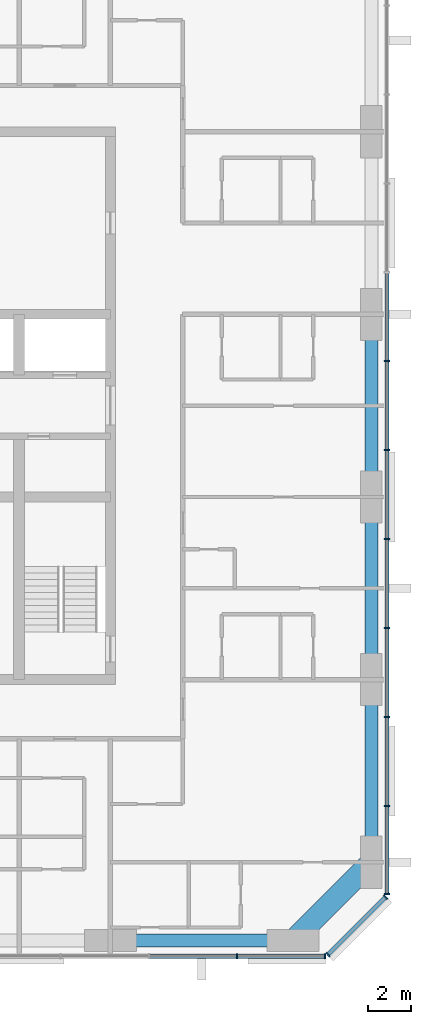
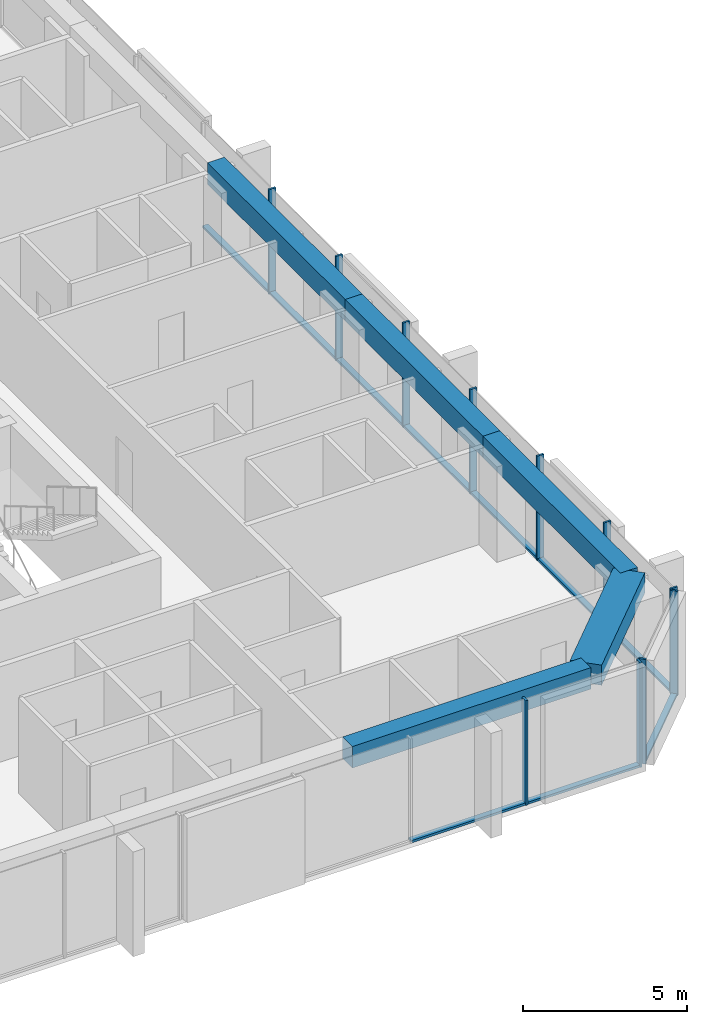
# One storey, part 3 of 12: 21 members, 5 beams, 3 elements without a shape of their own.
"""IFC4 building model written with IfcOpenShell, lengths in metres."""

from ifc_helpers import new_model, si_unit, direction, frame, origin, origin_2d, place, context, subcontext, project, spatial, rectangle, extrude, material, material_profile, profile_set, type_object, element, aggregate, save


model = new_model("IFC4")

# Units and contexts
model_context = context("Model", 3, precision=1e-05, world=origin(), true_north=direction((0.0, 1.0)))
body_context = subcontext(model_context, "Body", "Model", "MODEL_VIEW")
ifc_project = project(units=[si_unit("LENGTHUNIT", "METRE"), si_unit("AREAUNIT", "SQUARE_METRE"), si_unit("VOLUMEUNIT", "CUBIC_METRE"), si_unit("PLANEANGLEUNIT", "RADIAN"), si_unit("MASSUNIT", "GRAM", prefix="KILO")], contexts=[model_context])

# Site, building, storey
site_placement = place(None, origin())
site = spatial("IfcSite", under=ifc_project, at=site_placement, CompositionType="ELEMENT")
building_placement = place(site_placement, origin())
building = spatial("IfcBuilding", under=site, at=building_placement, Name="Dunama Terrace Hotel", CompositionType="ELEMENT")
storey_placement = place(building_placement, frame((0.0, 0.0, 264.60009765625)))
storey = spatial("IfcBuildingStorey", under=building, at=storey_placement, Name="L68", CompositionType="ELEMENT", Elevation=264.60009765625)

# Curtain wall, members
ifc_material_1 = material(Name="Aluminium curtain wall system", Category="aluminium")
curtain_wall_type = type_object("IfcCurtainWallType", Name="Unitised fritted glass wall CW-D", PredefinedType="NOTDEFINED", material=ifc_material_1)
curtain_wall_1_placement = place(storey_placement, origin())
curtain_wall_1 = element("IfcCurtainWall", 1, at=curtain_wall_1_placement, inside=storey, type_object=curtain_wall_type, Name="Unitised fritted glass wall CW-D L68", PredefinedType="NOTDEFINED")
ifc_material_2 = material(Name="Aluminium mullion", Category="aluminium")
ifc_material_profile_1 = material_profile(ifc_material_2, rectangle(XDim=0.070068359375, YDim=0.239990234375, at=origin_2d()), Name="CWD MULLION 70X240")
ifc_profile_set_1 = profile_set([ifc_material_profile_1], Name="Aluminium mullion")
member_type_1 = type_object("IfcMemberType", Name="CWD mullion 70x240", PredefinedType="MULLION", material=ifc_profile_set_1)
member_1_placement = place(storey_placement, frame((47.8330078125, 4.080078125, 0.0), z_axis=(0.0, 0.0, 1.0), x_axis=(1.0, 0.0, 0.0)))
member_1 = element("IfcMember", 2, at=member_1_placement, type_object=member_type_1, Name="CWD mullion", PredefinedType="MULLION", context=body_context, shape_type="SweptSolid", body=[
    extrude(rectangle(XDim=0.070068359375, YDim=0.239990234375, at=origin_2d()), origin(), (0.0, 0.0, 1.0), 3.89990234375),
])
member_2_placement = place(storey_placement, frame((51.864990234375, 4.080078125, 0.0), z_axis=(0.0, 0.0, 1.0), x_axis=(1.0, 0.0, 0.0)))
member_2 = element("IfcMember", 3, at=member_2_placement, type_object=member_type_1, Name="CWD mullion", PredefinedType="MULLION", context=body_context, shape_type="SweptSolid", body=[
    extrude(rectangle(XDim=0.070068359375, YDim=0.239990234375, at=origin_2d()), origin(), (0.0, 0.0, 1.0), 3.89990234375),
])

curtain_wall_2_placement = place(storey_placement, origin())
curtain_wall_2 = element("IfcCurtainWall", 4, at=curtain_wall_2_placement, inside=storey, type_object=curtain_wall_type, Name="Unitised fritted glass wall CW-D L68", PredefinedType="NOTDEFINED")
member_3_placement = place(storey_placement, frame((52.010009765625, 4.139892578125, 0.0), z_axis=(0.0, 0.0, 1.0), x_axis=(0.707106781187, 0.707106781187, 0.0)))
member_3 = element("IfcMember", 5, at=member_3_placement, type_object=member_type_1, Name="CWD mullion", PredefinedType="MULLION", context=body_context, shape_type="SweptSolid", body=[
    extrude(rectangle(XDim=0.070068359375, YDim=0.239990234375, at=origin_2d()), origin(), (0.0, 0.0, 1.0), 3.89990234375),
])
member_4_placement = place(storey_placement, frame((54.659912109375, 6.7900390625, 0.0), z_axis=(0.0, 0.0, 1.0), x_axis=(0.707106781187, 0.707106781187, 0.0)))
member_4 = element("IfcMember", 6, at=member_4_placement, type_object=member_type_1, Name="CWD mullion", PredefinedType="MULLION", context=body_context, shape_type="SweptSolid", body=[
    extrude(rectangle(XDim=0.070068359375, YDim=0.239990234375, at=origin_2d()), origin(), (0.0, 0.0, 1.0), 3.89990234375),
])

curtain_wall_3_placement = place(storey_placement, origin())
curtain_wall_3 = element("IfcCurtainWall", 7, at=curtain_wall_3_placement, inside=storey, type_object=curtain_wall_type, Name="Unitised fritted glass wall CW-D L68", PredefinedType="NOTDEFINED")
member_5_placement = place(storey_placement, frame((54.719970703125, 6.93505859375, 0.0), z_axis=(0.0, 0.0, 1.0), x_axis=(0.0, 1.0, 0.0)))
member_5 = element("IfcMember", 8, at=member_5_placement, type_object=member_type_1, Name="CWD mullion", PredefinedType="MULLION", context=body_context, shape_type="SweptSolid", body=[
    extrude(rectangle(XDim=0.070068359375, YDim=0.239990234375, at=origin_2d()), origin(), (0.0, 0.0, 1.0), 3.89990234375),
])
member_6_placement = place(storey_placement, frame((54.719970703125, 10.990966796875, 0.0), z_axis=(0.0, 0.0, 1.0), x_axis=(0.0, 1.0, 0.0)))
member_6 = element("IfcMember", 9, at=member_6_placement, type_object=member_type_1, Name="CWD mullion", PredefinedType="MULLION", context=body_context, shape_type="SweptSolid", body=[
    extrude(rectangle(XDim=0.070068359375, YDim=0.239990234375, at=origin_2d()), origin(), (0.0, 0.0, 1.0), 3.89990234375),
])
member_7_placement = place(storey_placement, frame((54.719970703125, 15.08203125, 0.0), z_axis=(0.0, 0.0, 1.0), x_axis=(0.0, 1.0, 0.0)))
member_7 = element("IfcMember", 10, at=member_7_placement, type_object=member_type_1, Name="CWD mullion", PredefinedType="MULLION", context=body_context, shape_type="SweptSolid", body=[
    extrude(rectangle(XDim=0.070068359375, YDim=0.239990234375, at=origin_2d()), origin(), (0.0, 0.0, 1.0), 3.89990234375),
])
member_8_placement = place(storey_placement, frame((54.719970703125, 19.173095703125, 0.0), z_axis=(0.0, 0.0, 1.0), x_axis=(0.0, 1.0, 0.0)))
member_8 = element("IfcMember", 11, at=member_8_placement, type_object=member_type_1, Name="CWD mullion", PredefinedType="MULLION", context=body_context, shape_type="SweptSolid", body=[
    extrude(rectangle(XDim=0.070068359375, YDim=0.239990234375, at=origin_2d()), origin(), (0.0, 0.0, 1.0), 3.89990234375),
])
member_9_placement = place(storey_placement, frame((54.719970703125, 23.263916015625, 0.0), z_axis=(0.0, 0.0, 1.0), x_axis=(0.0, 1.0, 0.0)))
member_9 = element("IfcMember", 12, at=member_9_placement, type_object=member_type_1, Name="CWD mullion", PredefinedType="MULLION", context=body_context, shape_type="SweptSolid", body=[
    extrude(rectangle(XDim=0.070068359375, YDim=0.239990234375, at=origin_2d()), origin(), (0.0, 0.0, 1.0), 3.89990234375),
])
member_10_placement = place(storey_placement, frame((54.719970703125, 27.35498046875, 0.0), z_axis=(0.0, 0.0, 1.0), x_axis=(0.0, 1.0, 0.0)))
member_10 = element("IfcMember", 13, at=member_10_placement, type_object=member_type_1, Name="CWD mullion", PredefinedType="MULLION", context=body_context, shape_type="SweptSolid", body=[
    extrude(rectangle(XDim=0.070068359375, YDim=0.239990234375, at=origin_2d()), origin(), (0.0, 0.0, 1.0), 3.89990234375),
])
member_11_placement = place(storey_placement, frame((54.719970703125, 31.445068359375, 0.0), z_axis=(0.0, 0.0, 1.0), x_axis=(0.0, 1.0, 0.0)))
member_11 = element("IfcMember", 14, at=member_11_placement, type_object=member_type_1, Name="CWD mullion", PredefinedType="MULLION", context=body_context, shape_type="SweptSolid", body=[
    extrude(rectangle(XDim=0.070068359375, YDim=0.239990234375, at=origin_2d()), origin(), (0.0, 0.0, 1.0), 3.89990234375),
])

# Member
ifc_material_3 = material(Name="Aluminium transom", Category="aluminium")
ifc_material_profile_2 = material_profile(ifc_material_3, rectangle(XDim=0.199951171875, YDim=0.0849609375, at=origin_2d()), Name="CWD TRANSOM 200X85")
ifc_profile_set_2 = profile_set([ifc_material_profile_2], Name="Aluminium transom")
member_type_2 = type_object("IfcMemberType", Name="CWD transom 200x85", PredefinedType="USERDEFINED", material=ifc_profile_set_2)
member_12_placement = place(storey_placement, frame((43.802001953125, 4.080078125, 0.04248046875), z_axis=(1.0, 0.0, 0.0), x_axis=(0.0, 1.0, 0.0)))
member_12 = element("IfcMember", 15, at=member_12_placement, type_object=member_type_2, Name="CWD transom", ObjectType="TRANSOM", PredefinedType="USERDEFINED", context=body_context, shape_type="SweptSolid", body=[
    extrude(rectangle(XDim=0.199951171875, YDim=0.0849609375, at=origin_2d()), origin(), (0.0, 0.0, 1.0), 3.99609375),
])

member_13_placement = place(storey_placement, frame((47.867919921875, 4.080078125, 0.04248046875), z_axis=(1.0, 0.0, 0.0), x_axis=(0.0, 1.0, 0.0)))
member_13 = element("IfcMember", 16, at=member_13_placement, type_object=member_type_2, Name="CWD transom", ObjectType="TRANSOM", PredefinedType="USERDEFINED", context=body_context, shape_type="SweptSolid", body=[
    extrude(rectangle(XDim=0.199951171875, YDim=0.0849609375, at=origin_2d()), origin(), (0.0, 0.0, 1.0), 3.962158203125),
])

aggregate(curtain_wall_1, [member_1, member_2, member_12, member_13])

member_14_placement = place(storey_placement, frame((52.033935546875, 4.1650390625, 0.04248046875), z_axis=(0.707106781187, 0.707106781187, 0.0), x_axis=(-0.707106781187, 0.707106781187, 0.0)))
member_14 = element("IfcMember", 17, at=member_14_placement, type_object=member_type_2, Name="CWD transom", ObjectType="TRANSOM", PredefinedType="USERDEFINED", context=body_context, shape_type="SweptSolid", body=[
    extrude(rectangle(XDim=0.199951171875, YDim=0.0849609375, at=origin_2d()), origin(), (0.0, 0.0, 1.0), 3.678466796875),
])

aggregate(curtain_wall_2, [member_3, member_4, member_14])

member_15_placement = place(storey_placement, frame((54.719970703125, 6.969970703125, 0.04248046875), z_axis=(0.0, 1.0, 0.0), x_axis=(-1.0, 0.0, 0.0)))
member_15 = element("IfcMember", 18, at=member_15_placement, type_object=member_type_2, Name="CWD transom", ObjectType="TRANSOM", PredefinedType="USERDEFINED", context=body_context, shape_type="SweptSolid", body=[
    extrude(rectangle(XDim=0.199951171875, YDim=0.0849609375, at=origin_2d()), origin(), (0.0, 0.0, 1.0), 3.986083984375),
])

member_16_placement = place(storey_placement, frame((54.719970703125, 11.02587890625, 0.04248046875), z_axis=(0.0, 1.0, 0.0), x_axis=(-1.0, 0.0, 0.0)))
member_16 = element("IfcMember", 19, at=member_16_placement, type_object=member_type_2, Name="CWD transom", ObjectType="TRANSOM", PredefinedType="USERDEFINED", context=body_context, shape_type="SweptSolid", body=[
    extrude(rectangle(XDim=0.199951171875, YDim=0.0849609375, at=origin_2d()), origin(), (0.0, 0.0, 1.0), 4.021240234375),
])

member_17_placement = place(storey_placement, frame((54.719970703125, 15.116943359375, 0.04248046875), z_axis=(0.0, 1.0, 0.0), x_axis=(-1.0, 0.0, 0.0)))
member_17 = element("IfcMember", 20, at=member_17_placement, type_object=member_type_2, Name="CWD transom", ObjectType="TRANSOM", PredefinedType="USERDEFINED", context=body_context, shape_type="SweptSolid", body=[
    extrude(rectangle(XDim=0.199951171875, YDim=0.0849609375, at=origin_2d()), origin(), (0.0, 0.0, 1.0), 4.02099609375),
])

member_18_placement = place(storey_placement, frame((54.719970703125, 19.2080078125, 0.04248046875), z_axis=(0.0, 1.0, 0.0), x_axis=(-1.0, 0.0, 0.0)))
member_18 = element("IfcMember", 21, at=member_18_placement, type_object=member_type_2, Name="CWD transom", ObjectType="TRANSOM", PredefinedType="USERDEFINED", context=body_context, shape_type="SweptSolid", body=[
    extrude(rectangle(XDim=0.199951171875, YDim=0.0849609375, at=origin_2d()), origin(), (0.0, 0.0, 1.0), 4.02099609375),
])

member_19_placement = place(storey_placement, frame((54.719970703125, 23.299072265625, 0.04248046875), z_axis=(0.0, 1.0, 0.0), x_axis=(-1.0, 0.0, 0.0)))
member_19 = element("IfcMember", 22, at=member_19_placement, type_object=member_type_2, Name="CWD transom", ObjectType="TRANSOM", PredefinedType="USERDEFINED", context=body_context, shape_type="SweptSolid", body=[
    extrude(rectangle(XDim=0.199951171875, YDim=0.0849609375, at=origin_2d()), origin(), (0.0, 0.0, 1.0), 4.02099609375),
])

member_20_placement = place(storey_placement, frame((54.719970703125, 27.389892578125, 0.04248046875), z_axis=(0.0, 1.0, 0.0), x_axis=(-1.0, 0.0, 0.0)))
member_20 = element("IfcMember", 23, at=member_20_placement, type_object=member_type_2, Name="CWD transom", ObjectType="TRANSOM", PredefinedType="USERDEFINED", context=body_context, shape_type="SweptSolid", body=[
    extrude(rectangle(XDim=0.199951171875, YDim=0.0849609375, at=origin_2d()), origin(), (0.0, 0.0, 1.0), 4.02001953125),
])

member_21_placement = place(storey_placement, frame((54.719970703125, 31.47998046875, 0.04248046875), z_axis=(0.0, 1.0, 0.0), x_axis=(-1.0, 0.0, 0.0)))
member_21 = element("IfcMember", 24, at=member_21_placement, type_object=member_type_2, Name="CWD transom", ObjectType="TRANSOM", PredefinedType="USERDEFINED", context=body_context, shape_type="SweptSolid", body=[
    extrude(rectangle(XDim=0.199951171875, YDim=0.0849609375, at=origin_2d()), origin(), (0.0, 0.0, 1.0), 4.02099609375),
])

aggregate(curtain_wall_3, [member_5, member_6, member_7, member_8, member_9, member_10, member_11, member_15, member_16, member_17, member_18, member_19, member_20, member_21])

# Beams
ifc_material_4 = material(Name="Concrete C50/60", Category="concrete")
ifc_material_profile_3 = material_profile(ifc_material_4, rectangle(XDim=1.0, YDim=0.75, at=origin_2d()), Name="RC 1000x750")
ifc_profile_set_3 = profile_set([ifc_material_profile_3], Name="Concrete C50/60")
beam_type_1 = type_object("IfcBeamType", Name="Edge beam RC 1000x750", PredefinedType="SPANDREL", material=ifc_profile_set_3)
beam_1_placement = place(storey_placement, frame((50.39990234375, 4.800048828125, 3.52490234375), z_axis=(0.707130757816, 0.707082803744, 0.0), x_axis=(-0.707082803744, 0.707130757816, 0.0)))
element("IfcBeam", 25, at=beam_1_placement, inside=storey, type_object=beam_type_1, Name="Corner edge beam under L69", PredefinedType="SPANDREL", context=body_context, shape_type="SweptSolid", body=[
    extrude(rectangle(XDim=1.0, YDim=0.75, at=origin_2d()), origin(), (0.0, 0.0, 1.0), 5.091064453125),
])
ifc_material_5 = material(Name="Concrete C40/50", Category="concrete")
ifc_material_profile_4 = material_profile(ifc_material_5, rectangle(XDim=0.60009765625, YDim=0.800048828125, at=origin_2d()), Name="RC 600x800")
ifc_profile_set_4 = profile_set([ifc_material_profile_4], Name="Concrete C40/50")
beam_type_2 = type_object("IfcBeamType", Name="Edge beam RC 600x800", PredefinedType="SPANDREL", material=ifc_profile_set_4)
beam_2_placement = place(storey_placement, frame((54.0, 8.39990234375, 3.5), z_axis=(0.0, 1.0, 0.0), x_axis=(-1.0, 0.0, 0.0)))
element("IfcBeam", 26, at=beam_2_placement, inside=storey, type_object=beam_type_2, Name="Edge beam under L69", PredefinedType="SPANDREL", context=body_context, shape_type="SweptSolid", body=[
    extrude(rectangle(XDim=0.60009765625, YDim=0.800048828125, at=origin_2d()), origin(), (0.0, 0.0, 1.0), 8.400146484375),
])
beam_3_placement = place(storey_placement, frame((54.0, 16.800048828125, 3.5), z_axis=(0.0, 1.0, 0.0), x_axis=(-1.0, 0.0, 0.0)))
element("IfcBeam", 27, at=beam_3_placement, inside=storey, type_object=beam_type_2, Name="Edge beam under L69", PredefinedType="SPANDREL", context=body_context, shape_type="SweptSolid", body=[
    extrude(rectangle(XDim=0.60009765625, YDim=0.800048828125, at=origin_2d()), origin(), (0.0, 0.0, 1.0), 8.39990234375),
])
beam_4_placement = place(storey_placement, frame((54.0, 25.199951171875, 3.5), z_axis=(0.0, 1.0, 0.0), x_axis=(-1.0, 0.0, 0.0)))
element("IfcBeam", 28, at=beam_4_placement, inside=storey, type_object=beam_type_2, Name="Edge beam under L69", PredefinedType="SPANDREL", context=body_context, shape_type="SweptSolid", body=[
    extrude(rectangle(XDim=0.60009765625, YDim=0.800048828125, at=origin_2d()), origin(), (0.0, 0.0, 1.0), 8.400146484375),
])
beam_5_placement = place(storey_placement, frame((42.0, 4.800048828125, 3.5), z_axis=(1.0, 0.0, 0.0), x_axis=(0.0, 1.0, 0.0)))
element("IfcBeam", 29, at=beam_5_placement, inside=storey, type_object=beam_type_2, Name="Edge beam under L69", PredefinedType="SPANDREL", context=body_context, shape_type="SweptSolid", body=[
    extrude(rectangle(XDim=0.60009765625, YDim=0.800048828125, at=origin_2d()), origin(), (0.0, 0.0, 1.0), 8.39990234375),
])

save(model, "model.ifc")
